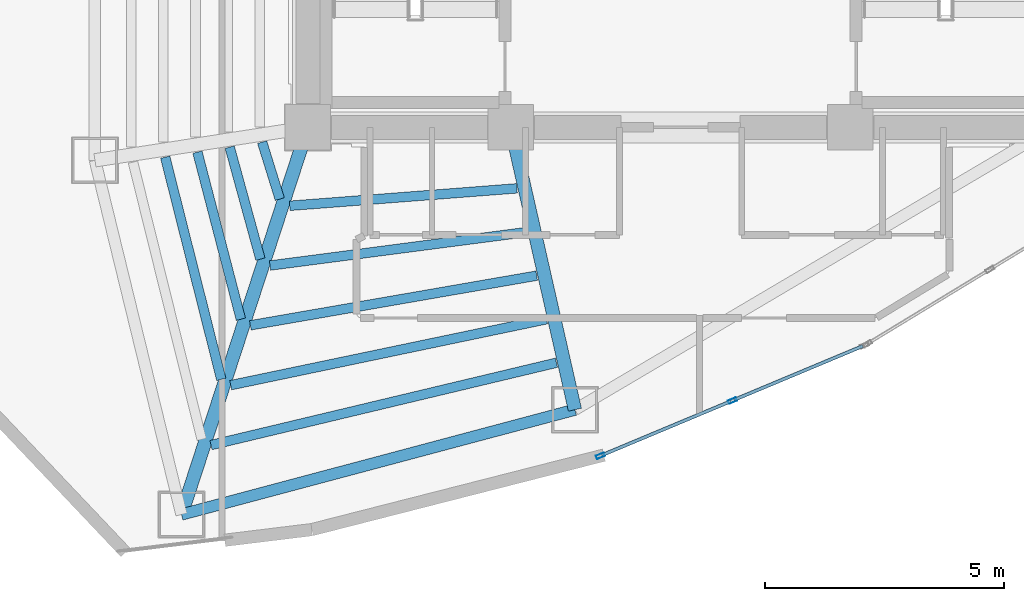
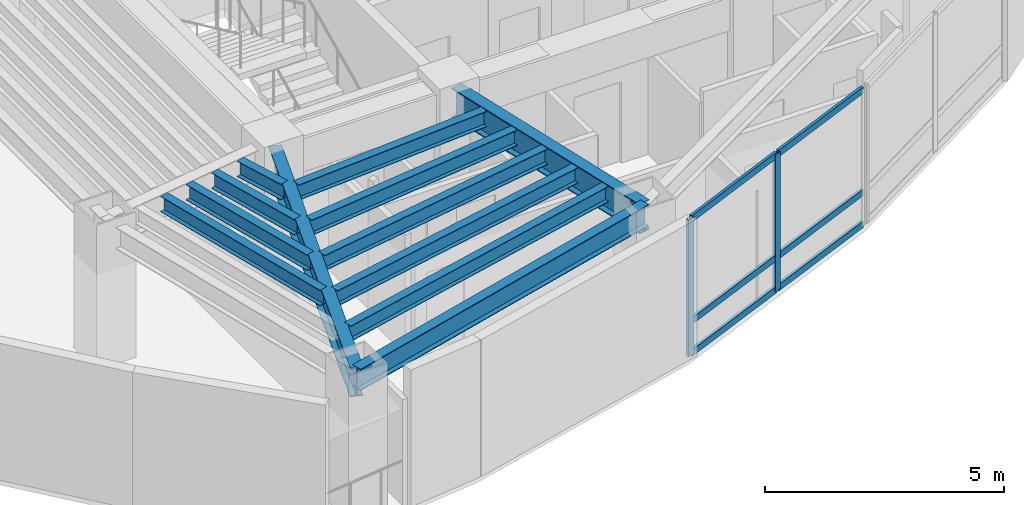
# One storey, part 3 of 16: 12 beams, 8 members, 1 element without a shape of its own.
"""IFC4 building model written with IfcOpenShell, lengths in metres."""

from ifc_helpers import new_model, si_unit, direction, frame, origin, origin_2d, place, context, subcontext, project, spatial, hollow_rectangle, i_section, extrude, material, layer, layer_set, material_profile, profile_set, type_object, element, aggregate, save


model = new_model("IFC4")

# Units and contexts
model_context = context("Model", 3, precision=1e-05, world=origin(), true_north=direction((0.0, 1.0)))
body_context = subcontext(model_context, "Body", "Model", "MODEL_VIEW")
ifc_project = project(units=[si_unit("LENGTHUNIT", "METRE"), si_unit("AREAUNIT", "SQUARE_METRE"), si_unit("VOLUMEUNIT", "CUBIC_METRE"), si_unit("PLANEANGLEUNIT", "RADIAN"), si_unit("MASSUNIT", "GRAM", prefix="KILO")], contexts=[model_context])

# Site, building, storey
site_placement = place(None, origin())
site = spatial("IfcSite", under=ifc_project, at=site_placement, CompositionType="ELEMENT")
building_placement = place(site_placement, origin())
building = spatial("IfcBuilding", under=site, at=building_placement, Name="Menara Vayukalpa", CompositionType="ELEMENT")
storey_placement = place(building_placement, frame((0.0, 0.0, 198.9599609375)))
storey = spatial("IfcBuildingStorey", under=building, at=storey_placement, Name="L50", CompositionType="ELEMENT", Elevation=198.9599609375)

# Beams
ifc_material_1 = material(Name="Steel S355", Category="steel")
ifc_material_profile_1 = material_profile(ifc_material_1, i_section(OverallWidth=0.280029296875, OverallDepth=0.75, WebThickness=0.013916015625, FlangeThickness=0.02490234375, at=origin_2d()), Name="WF 750x280x14x25")
ifc_profile_set_1 = profile_set([ifc_material_profile_1], Name="Steel S355")
beam_type_1 = type_object("IfcBeamType", Name="BM-PG4", PredefinedType="BEAM", material=ifc_profile_set_1)
beam_1_placement = place(storey_placement, frame((17.722412109375, 16.96240234375, 3.125), z_axis=(-0.310343552153, -0.950624468251, 0.0), x_axis=(0.950624468251, -0.310343552153, 0.0)))
element("IfcBeam", 1, at=beam_1_placement, inside=storey, type_object=beam_type_1, Name="L50 Primary Radial Girder RG07", PredefinedType="BEAM", context=body_context, shape_type="SweptSolid", body=[
    extrude(i_section(OverallWidth=0.280029296875, OverallDepth=0.75, WebThickness=0.013916015625, FlangeThickness=0.02490234375, at=origin_2d()), origin(), (0.0, 0.0, 1.0), 8.2734375),
])
beam_2_placement = place(storey_placement, frame((22.105224609375, 16.956298828125, 3.125), z_axis=(0.221085149161, -0.975254508741, 0.0), x_axis=(0.975254508741, 0.221085149161, 0.0)))
element("IfcBeam", 2, at=beam_2_placement, inside=storey, type_object=beam_type_1, Name="L50 Primary Radial Girder RG08", PredefinedType="BEAM", context=body_context, shape_type="SweptSolid", body=[
    extrude(i_section(OverallWidth=0.280029296875, OverallDepth=0.75, WebThickness=0.013916015625, FlangeThickness=0.02490234375, at=origin_2d()), origin(), (0.0, 0.0, 1.0), 5.80859375),
])
ifc_material_2 = material(Name="Steel S355", Category="steel")
ifc_material_profile_2 = material_profile(ifc_material_2, i_section(OverallWidth=0.199951171875, OverallDepth=0.39990234375, WebThickness=0.008056640625, FlangeThickness=0.012939453125, at=origin_2d()), Name="WF 400x200x8x13")
ifc_profile_set_2 = profile_set([ifc_material_profile_2], Name="Steel S355")
beam_type_2 = type_object("IfcBeamType", Name="BM-SJ2", PredefinedType="JOIST", material=ifc_profile_set_2)
beam_3_placement = place(storey_placement, frame((16.8427734375, 16.891845703125, 3.300048828125), z_axis=(0.296448419226, -0.955048865105, 0.0), x_axis=(0.955048865105, 0.296448419226, 0.0)))
element("IfcBeam", 3, at=beam_3_placement, inside=storey, type_object=beam_type_2, Name="L50 Secondary Floor Joist SJ06-1", PredefinedType="JOIST", context=body_context, shape_type="SweptSolid", body=[
    extrude(i_section(OverallWidth=0.199951171875, OverallDepth=0.39990234375, WebThickness=0.008056640625, FlangeThickness=0.012939453125, at=origin_2d()), origin(), (0.0, 0.0, 1.0), 1.24853515625),
])
beam_4_placement = place(storey_placement, frame((16.164306640625, 16.7861328125, 3.300048828125), z_axis=(0.264502665082, -0.964384954344, 0.0), x_axis=(0.964384954344, 0.264502665082, 0.0)))
element("IfcBeam", 4, at=beam_4_placement, inside=storey, type_object=beam_type_2, Name="L50 Secondary Floor Joist SJ06-2", PredefinedType="JOIST", context=body_context, shape_type="SweptSolid", body=[
    extrude(i_section(OverallWidth=0.199951171875, OverallDepth=0.39990234375, WebThickness=0.008056640625, FlangeThickness=0.012939453125, at=origin_2d()), origin(), (0.0, 0.0, 1.0), 2.430419921875),
])
beam_5_placement = place(storey_placement, frame((15.48876953125, 16.681396484375, 3.300048828125), z_axis=(0.251714869346, -0.967801438597, 0.0), x_axis=(0.967801438597, 0.251714869346, 0.0)))
element("IfcBeam", 5, at=beam_5_placement, inside=storey, type_object=beam_type_2, Name="L50 Secondary Floor Joist SJ06-3", PredefinedType="JOIST", context=body_context, shape_type="SweptSolid", body=[
    extrude(i_section(OverallWidth=0.199951171875, OverallDepth=0.39990234375, WebThickness=0.008056640625, FlangeThickness=0.012939453125, at=origin_2d()), origin(), (0.0, 0.0, 1.0), 3.61279296875),
])
beam_6_placement = place(storey_placement, frame((14.814208984375, 16.576904296875, 3.300048828125), z_axis=(0.24483447751, -0.969564891393, 0.0), x_axis=(0.969564891393, 0.24483447751, 0.0)))
element("IfcBeam", 6, at=beam_6_placement, inside=storey, type_object=beam_type_2, Name="L50 Secondary Floor Joist SJ06-4", PredefinedType="JOIST", context=body_context, shape_type="SweptSolid", body=[
    extrude(i_section(OverallWidth=0.199951171875, OverallDepth=0.39990234375, WebThickness=0.008056640625, FlangeThickness=0.012939453125, at=origin_2d()), origin(), (0.0, 0.0, 1.0), 4.79638671875),
])
beam_7_placement = place(storey_placement, frame((17.419921875, 15.558837890625, 3.300048828125), z_axis=(0.997061705182, 0.076602585202, 0.0), x_axis=(-0.076602585202, 0.997061705182, 0.0)))
element("IfcBeam", 7, at=beam_7_placement, inside=storey, type_object=beam_type_2, Name="L50 Secondary Floor Joist SJ07-1", PredefinedType="JOIST", context=body_context, shape_type="SweptSolid", body=[
    extrude(i_section(OverallWidth=0.199951171875, OverallDepth=0.39990234375, WebThickness=0.008056640625, FlangeThickness=0.012939453125, at=origin_2d()), origin(), (0.0, 0.0, 1.0), 4.77099609375),
])
beam_8_placement = place(storey_placement, frame((17.008056640625, 14.308837890625, 3.300048828125), z_axis=(0.99161070493, 0.129260240866, 0.0), x_axis=(-0.129260240866, 0.99161070493, 0.0)))
element("IfcBeam", 8, at=beam_8_placement, inside=storey, type_object=beam_type_2, Name="L50 Secondary Floor Joist SJ07-2", PredefinedType="JOIST", context=body_context, shape_type="SweptSolid", body=[
    extrude(i_section(OverallWidth=0.199951171875, OverallDepth=0.39990234375, WebThickness=0.008056640625, FlangeThickness=0.012939453125, at=origin_2d()), origin(), (0.0, 0.0, 1.0), 5.420654296875),
])
beam_9_placement = place(storey_placement, frame((16.59619140625, 13.05712890625, 3.300048828125), z_axis=(0.985288833054, 0.170897382832, 0.0), x_axis=(-0.170897382832, 0.985288833054, 0.0)))
element("IfcBeam", 9, at=beam_9_placement, inside=storey, type_object=beam_type_2, Name="L50 Secondary Floor Joist SJ07-3", PredefinedType="JOIST", context=body_context, shape_type="SweptSolid", body=[
    extrude(i_section(OverallWidth=0.199951171875, OverallDepth=0.39990234375, WebThickness=0.008056640625, FlangeThickness=0.012939453125, at=origin_2d()), origin(), (0.0, 0.0, 1.0), 6.0830078125),
])
beam_10_placement = place(storey_placement, frame((16.184326171875, 11.80419921875, 3.300048828125), z_axis=(0.97888709748, 0.204401688806, 0.0), x_axis=(-0.204401688806, 0.97888709748, 0.0)))
element("IfcBeam", 10, at=beam_10_placement, inside=storey, type_object=beam_type_2, Name="L50 Secondary Floor Joist SJ07-4", PredefinedType="JOIST", context=body_context, shape_type="SweptSolid", body=[
    extrude(i_section(OverallWidth=0.199951171875, OverallDepth=0.39990234375, WebThickness=0.008056640625, FlangeThickness=0.012939453125, at=origin_2d()), origin(), (0.0, 0.0, 1.0), 6.75439453125),
])
beam_11_placement = place(storey_placement, frame((15.772705078125, 10.55029296875, 3.300048828125), z_axis=(0.972731800574, 0.231932844055, 0.0), x_axis=(-0.231932844055, 0.972731800574, 0.0)))
element("IfcBeam", 11, at=beam_11_placement, inside=storey, type_object=beam_type_2, Name="L50 Secondary Floor Joist SJ07-5", PredefinedType="JOIST", context=body_context, shape_type="SweptSolid", body=[
    extrude(i_section(OverallWidth=0.199951171875, OverallDepth=0.39990234375, WebThickness=0.008056640625, FlangeThickness=0.012939453125, at=origin_2d()), origin(), (0.0, 0.0, 1.0), 7.4326171875),
])
ifc_material_3 = material(Name="Steel S355", Category="steel")
ifc_material_profile_3 = material_profile(ifc_material_3, i_section(OverallWidth=0.239990234375, OverallDepth=0.550048828125, WebThickness=0.010986328125, FlangeThickness=0.01904296875, at=origin_2d()), Name="WF 550x240x11x19")
ifc_profile_set_3 = profile_set([ifc_material_profile_3], Name="Steel S355")
beam_type_3 = type_object("IfcBeamType", Name="BM-SP2", PredefinedType="SPANDREL", material=ifc_profile_set_3)
beam_12_placement = place(storey_placement, frame((15.15478515625, 9.097412109375, 3.22509765625), z_axis=(0.966287699272, 0.25746472037, 0.0), x_axis=(-0.25746472037, 0.966287699272, 0.0)))
element("IfcBeam", 12, at=beam_12_placement, inside=storey, type_object=beam_type_3, Name="L50 Perimeter Spandrel Beam SP07", PredefinedType="SPANDREL", context=body_context, shape_type="SweptSolid", body=[
    extrude(i_section(OverallWidth=0.239990234375, OverallDepth=0.550048828125, WebThickness=0.010986328125, FlangeThickness=0.01904296875, at=origin_2d()), origin(), (0.0, 0.0, 1.0), 8.52197265625),
])

# Curtain wall, members
ifc_material_4 = material(Name="Anodised Terracotta Aluminium Alloy 6063-T6", Category="masonry")
ifc_layer = layer(ifc_material_4, 0.179931640625)
ifc_layer_set = layer_set([ifc_layer], Name="Anodised Terracotta Aluminium Alloy 6063-T6")
curtain_wall_type = type_object("IfcCurtainWallType", Name="CW-CW4", PredefinedType="USERDEFINED", material=ifc_layer_set)
curtain_wall_placement = place(storey_placement, origin())
curtain_wall = element("IfcCurtainWall", 13, at=curtain_wall_placement, inside=storey, type_object=curtain_wall_type, Name="L50 Sky Bar Cantilever Glazed Curtain Wall CW4 19", ObjectType="UNITISED", PredefinedType="USERDEFINED")
ifc_material_5 = material(Name="Anodised Terracotta Aluminium Alloy 6063-T6", Category="masonry")
ifc_material_profile_4 = material_profile(ifc_material_5, hollow_rectangle(XDim=0.074951171875, YDim=0.179931640625, WallThickness=0.00390625, at=origin_2d()), Name="ALU 75x180x4")
ifc_profile_set_4 = profile_set([ifc_material_profile_4], Name="Anodised Terracotta Aluminium Alloy 6063-T6")
member_type_1 = type_object("IfcMemberType", Name="CWM-CW4", PredefinedType="MULLION", material=ifc_profile_set_4)
member_1_placement = place(storey_placement, frame((23.923095703125, 10.325927734375, 0.0), z_axis=(0.0, 0.0, 1.0), x_axis=(-0.385902834406, 0.922539431351, 0.0)))
member_1 = element("IfcMember", 14, at=member_1_placement, type_object=member_type_1, Name="CW4 mullion 1", PredefinedType="MULLION", context=body_context, shape_type="SweptSolid", body=[
    extrude(hollow_rectangle(XDim=0.074951171875, YDim=0.179931640625, WallThickness=0.00390625, at=origin_2d()), origin(), (0.0, 0.0, 1.0), 3.5),
])
member_2_placement = place(storey_placement, frame((26.686279296875, 11.481689453125, 0.0), z_axis=(0.0, 0.0, 1.0), x_axis=(-0.385902834406, 0.922539431351, 0.0)))
member_2 = element("IfcMember", 15, at=member_2_placement, type_object=member_type_1, Name="CW4 mullion 2", PredefinedType="MULLION", context=body_context, shape_type="SweptSolid", body=[
    extrude(hollow_rectangle(XDim=0.074951171875, YDim=0.179931640625, WallThickness=0.00390625, at=origin_2d()), origin(), (0.0, 0.0, 1.0), 3.5),
])
ifc_material_6 = material(Name="Anodised Terracotta Aluminium Alloy 6063-T6", Category="masonry")
ifc_material_profile_5 = material_profile(ifc_material_6, hollow_rectangle(XDim=0.070068359375, YDim=0.1650390625, WallThickness=0.00390625, at=origin_2d()), Name="ALU 70x165x4")
ifc_profile_set_5 = profile_set([ifc_material_profile_5], Name="Anodised Terracotta Aluminium Alloy 6063-T6")
member_type_2 = type_object("IfcMemberType", Name="CWT-CW4", PredefinedType="USERDEFINED", material=ifc_profile_set_5)
member_3_placement = place(storey_placement, frame((23.957763671875, 10.34033203125, 0.03515625), z_axis=(0.922526843206, 0.38593292625, 0.0), x_axis=(-0.38593292625, 0.922526843206, 0.0)))
member_3 = element("IfcMember", 16, at=member_3_placement, type_object=member_type_2, Name="CW4 transom 1.1", ObjectType="TRANSOM", PredefinedType="USERDEFINED", context=body_context, shape_type="SweptSolid", body=[
    extrude(hollow_rectangle(XDim=0.070068359375, YDim=0.1650390625, WallThickness=0.00390625, at=origin_2d()), origin(), (0.0, 0.0, 1.0), 2.920166015625),
])
member_4_placement = place(storey_placement, frame((23.957763671875, 10.34033203125, 0.85009765625), z_axis=(0.922526843206, 0.38593292625, 0.0), x_axis=(-0.38593292625, 0.922526843206, 0.0)))
member_4 = element("IfcMember", 17, at=member_4_placement, type_object=member_type_2, Name="CW4 transom 1.2", ObjectType="TRANSOM", PredefinedType="USERDEFINED", context=body_context, shape_type="SweptSolid", body=[
    extrude(hollow_rectangle(XDim=0.070068359375, YDim=0.1650390625, WallThickness=0.00390625, at=origin_2d()), origin(), (0.0, 0.0, 1.0), 2.920166015625),
])
member_5_placement = place(storey_placement, frame((23.957763671875, 10.34033203125, 3.465087890625), z_axis=(0.922526843206, 0.38593292625, 0.0), x_axis=(-0.38593292625, 0.922526843206, 0.0)))
member_5 = element("IfcMember", 18, at=member_5_placement, type_object=member_type_2, Name="CW4 transom 1.3", ObjectType="TRANSOM", PredefinedType="USERDEFINED", context=body_context, shape_type="SweptSolid", body=[
    extrude(hollow_rectangle(XDim=0.070068359375, YDim=0.1650390625, WallThickness=0.00390625, at=origin_2d()), origin(), (0.0, 0.0, 1.0), 2.920166015625),
])
member_6_placement = place(storey_placement, frame((26.720703125, 11.49609375, 0.03515625), z_axis=(0.922526843206, 0.38593292625, 0.0), x_axis=(-0.38593292625, 0.922526843206, 0.0)))
member_6 = element("IfcMember", 19, at=member_6_placement, type_object=member_type_2, Name="CW4 transom 2.1", ObjectType="TRANSOM", PredefinedType="USERDEFINED", context=body_context, shape_type="SweptSolid", body=[
    extrude(hollow_rectangle(XDim=0.070068359375, YDim=0.1650390625, WallThickness=0.00390625, at=origin_2d()), origin(), (0.0, 0.0, 1.0), 2.920166015625),
])
member_7_placement = place(storey_placement, frame((26.720703125, 11.49609375, 0.85009765625), z_axis=(0.922526843206, 0.38593292625, 0.0), x_axis=(-0.38593292625, 0.922526843206, 0.0)))
member_7 = element("IfcMember", 20, at=member_7_placement, type_object=member_type_2, Name="CW4 transom 2.2", ObjectType="TRANSOM", PredefinedType="USERDEFINED", context=body_context, shape_type="SweptSolid", body=[
    extrude(hollow_rectangle(XDim=0.070068359375, YDim=0.1650390625, WallThickness=0.00390625, at=origin_2d()), origin(), (0.0, 0.0, 1.0), 2.920166015625),
])
member_8_placement = place(storey_placement, frame((26.720703125, 11.49609375, 3.465087890625), z_axis=(0.922526843206, 0.38593292625, 0.0), x_axis=(-0.38593292625, 0.922526843206, 0.0)))
member_8 = element("IfcMember", 21, at=member_8_placement, type_object=member_type_2, Name="CW4 transom 2.3", ObjectType="TRANSOM", PredefinedType="USERDEFINED", context=body_context, shape_type="SweptSolid", body=[
    extrude(hollow_rectangle(XDim=0.070068359375, YDim=0.1650390625, WallThickness=0.00390625, at=origin_2d()), origin(), (0.0, 0.0, 1.0), 2.920166015625),
])
aggregate(curtain_wall, [member_1, member_2, member_3, member_4, member_5, member_6, member_7, member_8])

save(model, "model.ifc")
